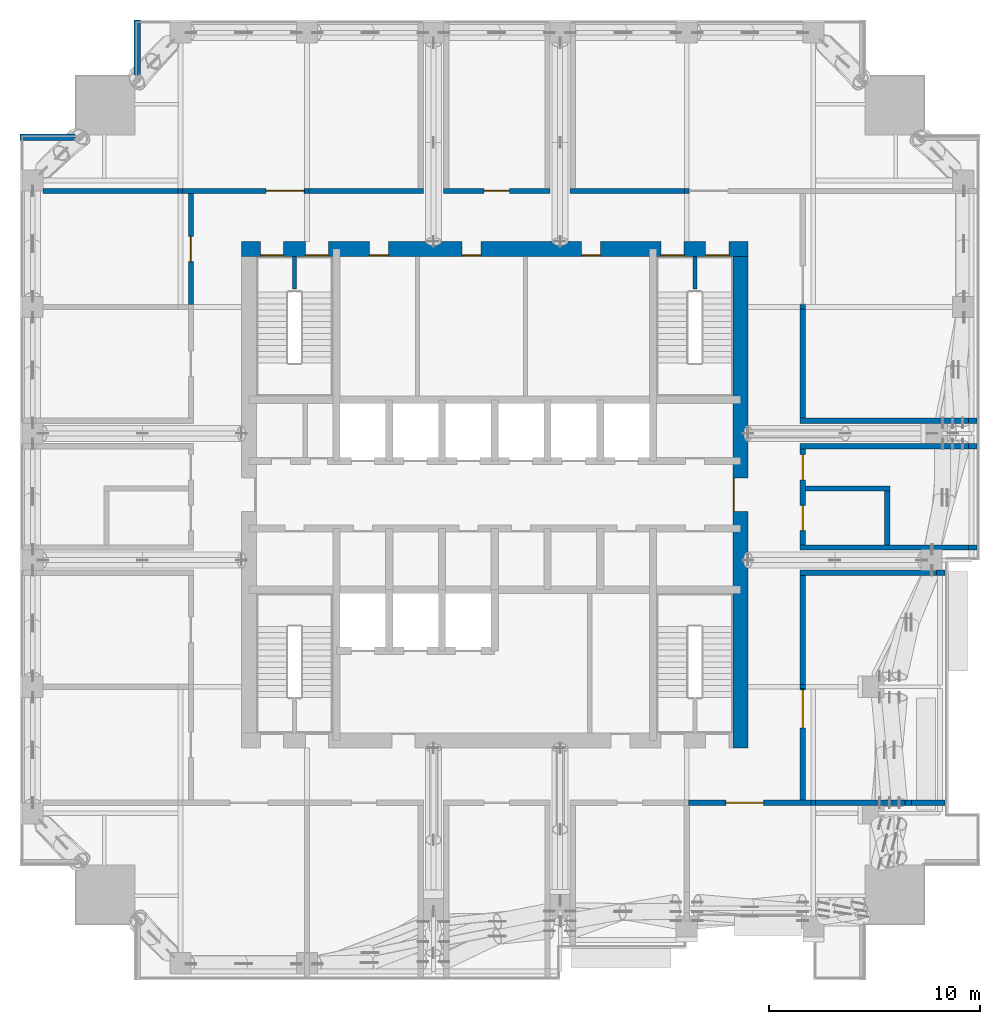
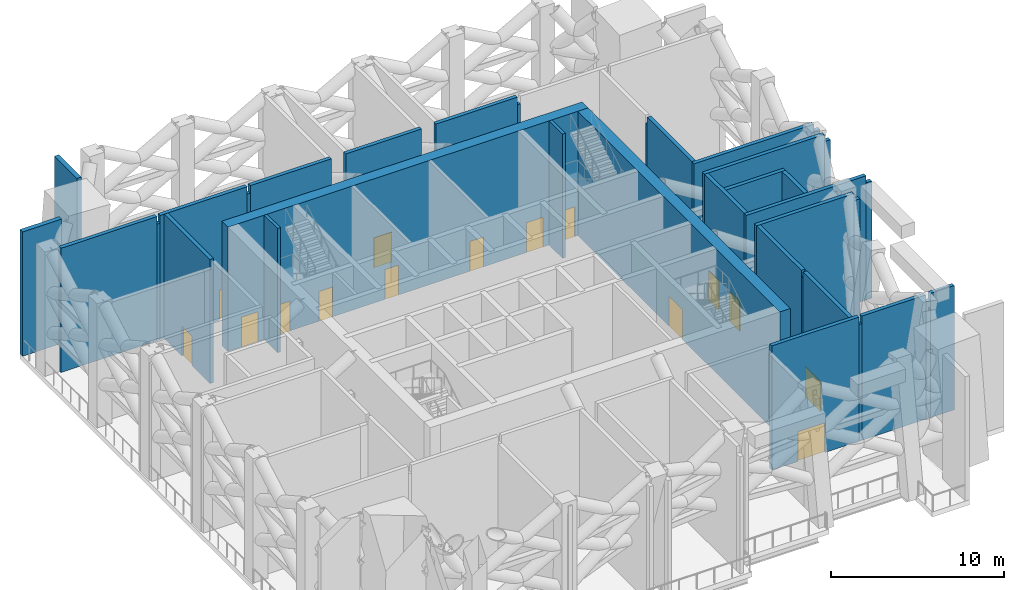
# One storey, part 9 of 18: 36 walls, 15 doors, 15 openings.
"""IFC4 building model written with IfcOpenShell, lengths in metres."""

from ifc_helpers import new_model, si_unit, direction, frame, frame_2d, origin, place, context, subcontext, project, spatial, rectangle, extrude, material, layer, layer_set, type_object, element, fill, save


model = new_model("IFC4")

# Units and contexts
model_context = context("Model", 3, precision=1e-05, world=origin(), true_north=direction((0.0, 1.0)))
body_context = subcontext(model_context, "Body", "Model", "MODEL_VIEW")
ifc_project = project(units=[si_unit("LENGTHUNIT", "METRE"), si_unit("AREAUNIT", "SQUARE_METRE"), si_unit("VOLUMEUNIT", "CUBIC_METRE"), si_unit("PLANEANGLEUNIT", "RADIAN"), si_unit("MASSUNIT", "GRAM", prefix="KILO")], contexts=[model_context])

# Site, building, storey
site_placement = place(None, origin())
site = spatial("IfcSite", under=ifc_project, at=site_placement, CompositionType="ELEMENT")
building_placement = place(site_placement, origin())
building = spatial("IfcBuilding", under=site, at=building_placement, Name="Amberfall Residences", CompositionType="ELEMENT")
storey_placement = place(building_placement, frame((0.0, 0.0, 178.0)))
storey = spatial("IfcBuildingStorey", under=building, at=storey_placement, Name="L48", CompositionType="ELEMENT", Elevation=178.0)

# Wall, opening, door
ifc_material_1 = material(Name="Reinforced concrete C40", Category="concrete")
ifc_layer_1 = layer(ifc_material_1, 0.25)
ifc_layer_set_1 = layer_set([ifc_layer_1], Name="Compartment wall 250")
wall_type_1 = type_object("IfcWallType", Name="Compartment wall 250", PredefinedType="SOLIDWALL", material=ifc_layer_set_1)
wall_1_placement = place(storey_placement, frame((83.69580078125, 30.89990234375, 0.0), z_axis=(0.0, 0.0, 1.0), x_axis=(1.0, 0.0, 0.0)))
wall_1 = element("IfcWall", 1, at=wall_1_placement, inside=storey, type_object=wall_type_1, Name="Compartment wall 250 L48 009", PredefinedType="SOLIDWALL", context=body_context, shape_type="SweptSolid", body=[
    extrude(rectangle(XDim=5.799560546875, YDim=0.25, at=frame_2d((2.89990234375, 0.0))), origin(), (0.0, 0.0, 1.0), 8.75),
])
opening_1_placement = place(wall_1_placement, frame((1.75439453125, 0.0, 0.0)))
opening_1 = element("IfcOpeningElement", 2, at=opening_1_placement, cuts=wall_1, Name="Opening D13", PredefinedType="OPENING", context=body_context, shape_type="SweptSolid", body=[
    extrude(rectangle(XDim=1.800048828125, YDim=2.10009765625, at=frame_2d((0.89990234375, 1.050048828125))), frame((0.0, 0.135009765625, 0.0), z_axis=(0.0, -1.0, 0.0), x_axis=(1.0, 0.0, 0.0)), (0.0, 0.0, 1.0), 0.27001953125),
])
ifc_material_2 = material(Name="Steel fire door leaf", Category="steel")
door_type_1 = type_object("IfcDoorType", Name="Double fire door 1800x2100 FD60", OperationType="DOUBLE_DOOR_SINGLE_SWING", PredefinedType="DOOR", material=ifc_material_2)
door_1_placement = place(opening_1_placement, origin())
door_1 = element("IfcDoor", 3, at=door_1_placement, inside=storey, type_object=door_type_1, Name="Door Refuge area 5", OperationType="DOUBLE_DOOR_SINGLE_SWING", OverallHeight=2.10009765625, OverallWidth=1.800048828125, PredefinedType="DOOR", context=body_context, shape_type="SweptSolid", body=[
    extrude(rectangle(XDim=1.800048828125, YDim=2.10009765625, at=frame_2d((0.89990234375, 1.050048828125))), frame((0.0, 0.02490234375, 0.0), z_axis=(0.0, -1.0, 0.0), x_axis=(1.0, 0.0, 0.0)), (0.0, 0.0, 1.0), 0.050048828125),
])
fill(opening_1, door_1)

# Walls
wall_2_placement = place(storey_placement, frame((89.495361328125, 30.89990234375, 0.0), z_axis=(0.0, 0.0, 1.0), x_axis=(1.0, 0.0, 0.0)))
element("IfcWall", 4, at=wall_2_placement, inside=storey, type_object=wall_type_1, Name="Compartment wall 250 L48 010", PredefinedType="SOLIDWALL", context=body_context, shape_type="SweptSolid", body=[
    extrude(rectangle(XDim=0.209228515625, YDim=0.25, at=frame_2d((0.1044921875, 0.0))), origin(), (0.0, 0.0, 1.0), 8.217041015625),
])
wall_3_placement = place(storey_placement, frame((89.70458984375, 30.89990234375, 0.0), z_axis=(0.0, 0.0, 1.0), x_axis=(1.0, 0.0, 0.0)))
element("IfcWall", 5, at=wall_3_placement, inside=storey, type_object=wall_type_1, Name="Compartment wall 250 L48 011", PredefinedType="SOLIDWALL", context=body_context, shape_type="SweptSolid", body=[
    extrude(rectangle(XDim=4.245361328125, YDim=0.25, at=frame_2d((2.12255859375, 0.0))), origin(), (0.0, 0.0, 1.0), 8.75),
])
wall_4_placement = place(storey_placement, frame((93.949951171875, 30.89990234375, 0.0), z_axis=(0.0, 0.0, 1.0), x_axis=(1.0, 0.0, 0.0)))
element("IfcWall", 6, at=wall_4_placement, inside=storey, type_object=wall_type_1, Name="Compartment wall 250 L48 012", PredefinedType="SOLIDWALL", context=body_context, shape_type="SweptSolid", body=[
    extrude(rectangle(XDim=0.300048828125, YDim=0.25, at=frame_2d((0.14990234375, 0.0))), origin(), (0.0, 0.0, 1.0), 8.25),
])
wall_5_placement = place(storey_placement, frame((94.25, 30.89990234375, 0.0), z_axis=(0.0, 0.0, 1.0), x_axis=(1.0, 0.0, 0.0)))
element("IfcWall", 7, at=wall_5_placement, inside=storey, type_object=wall_type_1, Name="Compartment wall 250 L48 013", PredefinedType="SOLIDWALL", context=body_context, shape_type="SweptSolid", body=[
    extrude(rectangle(XDim=1.60009765625, YDim=0.25, at=frame_2d((0.800048828125, 0.0))), origin(), (0.0, 0.0, 1.0), 8.75),
])
wall_6_placement = place(storey_placement, frame((88.97509765625, 41.800048828125, 0.0), z_axis=(0.0, 0.0, 1.0), x_axis=(1.0, 0.0, 0.0)))
element("IfcWall", 8, at=wall_6_placement, inside=storey, type_object=wall_type_1, Name="Compartment wall 250 L48 018", PredefinedType="SOLIDWALL", context=body_context, shape_type="SweptSolid", body=[
    extrude(rectangle(XDim=6.474853515625, YDim=0.25, at=frame_2d((3.2373046875, 0.0))), origin(), (0.0, 0.0, 1.0), 8.75),
])
wall_7_placement = place(storey_placement, frame((95.449951171875, 41.800048828125, 0.0), z_axis=(0.0, 0.0, 1.0), x_axis=(1.0, 0.0, 0.0)))
element("IfcWall", 9, at=wall_7_placement, inside=storey, type_object=wall_type_1, Name="Compartment wall 250 L48 019", PredefinedType="SOLIDWALL", context=body_context, shape_type="SweptSolid", body=[
    extrude(rectangle(XDim=0.400146484375, YDim=0.25, at=frame_2d((0.2001953125, 0.0))), origin(), (0.0, 0.0, 1.0), 8.25),
])
wall_8_placement = place(storey_placement, frame((88.97509765625, 43.0, 0.0), z_axis=(0.0, 0.0, 1.0), x_axis=(1.0, 0.0, 0.0)))
element("IfcWall", 10, at=wall_8_placement, inside=storey, type_object=wall_type_1, Name="Compartment wall 250 L48 022", PredefinedType="SOLIDWALL", context=body_context, shape_type="SweptSolid", body=[
    extrude(rectangle(XDim=7.974853515625, YDim=0.25, at=frame_2d((3.9873046875, 0.0))), origin(), (0.0, 0.0, 1.0), 8.75),
])
wall_9_placement = place(storey_placement, frame((96.949951171875, 43.0, 0.0), z_axis=(0.0, 0.0, 1.0), x_axis=(1.0, 0.0, 0.0)))
element("IfcWall", 11, at=wall_9_placement, inside=storey, type_object=wall_type_1, Name="Compartment wall 250 L48 023", PredefinedType="SOLIDWALL", context=body_context, shape_type="SweptSolid", body=[
    extrude(rectangle(XDim=0.400146484375, YDim=0.25, at=frame_2d((0.2001953125, 0.0))), origin(), (0.0, 0.0, 1.0), 8.25),
])
wall_10_placement = place(storey_placement, frame((89.22509765625, 45.800048828125, 0.0), z_axis=(0.0, 0.0, 1.0), x_axis=(1.0, 0.0, 0.0)))
element("IfcWall", 12, at=wall_10_placement, inside=storey, type_object=wall_type_1, Name="Compartment wall 250 L48 025", PredefinedType="SOLIDWALL", context=body_context, shape_type="SweptSolid", body=[
    extrude(rectangle(XDim=4.0, YDim=0.25, at=frame_2d((2.0, 0.0))), origin(), (0.0, 0.0, 1.0), 8.75),
])
wall_11_placement = place(storey_placement, frame((88.97509765625, 47.800048828125, 0.0), z_axis=(0.0, 0.0, 1.0), x_axis=(1.0, 0.0, 0.0)))
element("IfcWall", 13, at=wall_11_placement, inside=storey, type_object=wall_type_1, Name="Compartment wall 250 L48 028", PredefinedType="SOLIDWALL", context=body_context, shape_type="SweptSolid", body=[
    extrude(rectangle(XDim=7.974853515625, YDim=0.25, at=frame_2d((3.9873046875, 0.0))), origin(), (0.0, 0.0, 1.0), 8.75),
])
wall_12_placement = place(storey_placement, frame((96.949951171875, 47.800048828125, 0.0), z_axis=(0.0, 0.0, 1.0), x_axis=(1.0, 0.0, 0.0)))
element("IfcWall", 14, at=wall_12_placement, inside=storey, type_object=wall_type_1, Name="Compartment wall 250 L48 029", PredefinedType="SOLIDWALL", context=body_context, shape_type="SweptSolid", body=[
    extrude(rectangle(XDim=0.400146484375, YDim=0.25, at=frame_2d((0.2001953125, 0.0))), origin(), (0.0, 0.0, 1.0), 8.25),
])
wall_13_placement = place(storey_placement, frame((88.97509765625, 49.0, 0.0), z_axis=(0.0, 0.0, 1.0), x_axis=(1.0, 0.0, 0.0)))
element("IfcWall", 15, at=wall_13_placement, inside=storey, type_object=wall_type_1, Name="Compartment wall 250 L48 032", PredefinedType="SOLIDWALL", context=body_context, shape_type="SweptSolid", body=[
    extrude(rectangle(XDim=7.974853515625, YDim=0.25, at=frame_2d((3.9873046875, 0.0))), origin(), (0.0, 0.0, 1.0), 8.75),
])
wall_14_placement = place(storey_placement, frame((96.949951171875, 49.0, 0.0), z_axis=(0.0, 0.0, 1.0), x_axis=(1.0, 0.0, 0.0)))
element("IfcWall", 16, at=wall_14_placement, inside=storey, type_object=wall_type_1, Name="Compartment wall 250 L48 033", PredefinedType="SOLIDWALL", context=body_context, shape_type="SweptSolid", body=[
    extrude(rectangle(XDim=0.400146484375, YDim=0.25, at=frame_2d((0.2001953125, 0.0))), origin(), (0.0, 0.0, 1.0), 8.25),
])
wall_15_placement = place(storey_placement, frame((53.10009765625, 59.89990234375, 0.0), z_axis=(0.0, 0.0, 1.0), x_axis=(1.0, 0.0, 0.0)))
element("IfcWall", 17, at=wall_15_placement, inside=storey, type_object=wall_type_1, Name="Compartment wall 250 L48 036", PredefinedType="SOLIDWALL", context=body_context, shape_type="SweptSolid", body=[
    extrude(rectangle(XDim=6.39453125, YDim=0.25, at=frame_2d((3.197265625, 0.0))), origin(), (0.0, 0.0, 1.0), 8.75),
])
wall_16_placement = place(storey_placement, frame((59.49462890625, 59.89990234375, 0.0), z_axis=(0.0, 0.0, 1.0), x_axis=(1.0, 0.0, 0.0)))
element("IfcWall", 18, at=wall_16_placement, inside=storey, type_object=wall_type_1, Name="Compartment wall 250 L48 037", PredefinedType="SOLIDWALL", context=body_context, shape_type="SweptSolid", body=[
    extrude(rectangle(XDim=0.210693359375, YDim=0.25, at=frame_2d((0.10546875, 0.0))), origin(), (0.0, 0.0, 1.0), 8.2109375),
])

# Wall, opening, door
wall_17_placement = place(storey_placement, frame((59.705322265625, 59.89990234375, 0.0), z_axis=(0.0, 0.0, 1.0), x_axis=(1.0, 0.0, 0.0)))
wall_17 = element("IfcWall", 19, at=wall_17_placement, inside=storey, type_object=wall_type_1, Name="Compartment wall 250 L48 038", PredefinedType="SOLIDWALL", context=body_context, shape_type="SweptSolid", body=[
    extrude(rectangle(XDim=5.7900390625, YDim=0.25, at=frame_2d((2.89501953125, 0.0))), origin(), (0.0, 0.0, 1.0), 8.75),
])
opening_2_placement = place(wall_17_placement, frame((3.944580078125, 0.0, 0.0)))
opening_2 = element("IfcOpeningElement", 20, at=opening_2_placement, cuts=wall_17, Name="Opening D13", PredefinedType="OPENING", context=body_context, shape_type="SweptSolid", body=[
    extrude(rectangle(XDim=1.800048828125, YDim=2.10009765625, at=frame_2d((0.89990234375, 1.050048828125))), frame((0.0, 0.135009765625, 0.0), z_axis=(0.0, -1.0, 0.0), x_axis=(1.0, 0.0, 0.0)), (0.0, 0.0, 1.0), 0.27001953125),
])
door_2_placement = place(opening_2_placement, origin())
door_2 = element("IfcDoor", 21, at=door_2_placement, inside=storey, type_object=door_type_1, Name="Door Refuge area 6", OperationType="DOUBLE_DOOR_SINGLE_SWING", OverallHeight=2.10009765625, OverallWidth=1.800048828125, PredefinedType="DOOR", context=body_context, shape_type="SweptSolid", body=[
    extrude(rectangle(XDim=1.800048828125, YDim=2.10009765625, at=frame_2d((0.89990234375, 1.050048828125))), frame((0.0, 0.02490234375, 0.0), z_axis=(0.0, -1.0, 0.0), x_axis=(1.0, 0.0, 0.0)), (0.0, 0.0, 1.0), 0.050048828125),
])
fill(opening_2, door_2)

# Walls
wall_18_placement = place(storey_placement, frame((65.495361328125, 59.89990234375, 0.0), z_axis=(0.0, 0.0, 1.0), x_axis=(1.0, 0.0, 0.0)))
element("IfcWall", 22, at=wall_18_placement, inside=storey, type_object=wall_type_1, Name="Compartment wall 250 L48 039", PredefinedType="SOLIDWALL", context=body_context, shape_type="SweptSolid", body=[
    extrude(rectangle(XDim=0.209228515625, YDim=0.25, at=frame_2d((0.1044921875, 0.0))), origin(), (0.0, 0.0, 1.0), 8.217041015625),
])
wall_19_placement = place(storey_placement, frame((65.70458984375, 59.89990234375, 0.0), z_axis=(0.0, 0.0, 1.0), x_axis=(1.0, 0.0, 0.0)))
element("IfcWall", 23, at=wall_19_placement, inside=storey, type_object=wall_type_1, Name="Compartment wall 250 L48 040", PredefinedType="SOLIDWALL", context=body_context, shape_type="SweptSolid", body=[
    extrude(rectangle(XDim=5.42041015625, YDim=0.25, at=frame_2d((2.710205078125, 0.0))), origin(), (0.0, 0.0, 1.0), 8.75),
])

# Wall, opening, door
wall_20_placement = place(storey_placement, frame((72.074951171875, 59.89990234375, 0.0), z_axis=(0.0, 0.0, 1.0), x_axis=(1.0, 0.0, 0.0)))
wall_20 = element("IfcWall", 24, at=wall_20_placement, inside=storey, type_object=wall_type_1, Name="Compartment wall 250 L48 041", PredefinedType="SOLIDWALL", context=body_context, shape_type="SweptSolid", body=[
    extrude(rectangle(XDim=5.050048828125, YDim=0.25, at=frame_2d((2.52490234375, 0.0))), origin(), (0.0, 0.0, 1.0), 8.75),
])
opening_3_placement = place(wall_20_placement, frame((1.925048828125, 0.0, 0.0)))
opening_3 = element("IfcOpeningElement", 25, at=opening_3_placement, cuts=wall_20, Name="Opening D6", PredefinedType="OPENING", context=body_context, shape_type="SweptSolid", body=[
    extrude(rectangle(XDim=1.199951171875, YDim=2.10009765625, at=frame_2d((0.60009765625, 1.050048828125))), frame((0.0, 0.135009765625, 0.0), z_axis=(0.0, -1.0, 0.0), x_axis=(1.0, 0.0, 0.0)), (0.0, 0.0, 1.0), 0.27001953125),
])
door_type_2 = type_object("IfcDoorType", Name="Exit door 1200x2100", OperationType="SINGLE_SWING_LEFT", PredefinedType="DOOR", material=ifc_material_2)
door_3_placement = place(opening_3_placement, origin())
door_3 = element("IfcDoor", 26, at=door_3_placement, inside=storey, type_object=door_type_2, Name="Door Refuge area 7", OperationType="SINGLE_SWING_LEFT", OverallHeight=2.10009765625, OverallWidth=1.199951171875, PredefinedType="DOOR", context=body_context, shape_type="SweptSolid", body=[
    extrude(rectangle(XDim=1.199951171875, YDim=2.10009765625, at=frame_2d((0.60009765625, 1.050048828125))), frame((0.0, 0.02490234375, 0.0), z_axis=(0.0, -1.0, 0.0), x_axis=(1.0, 0.0, 0.0)), (0.0, 0.0, 1.0), 0.050048828125),
])
fill(opening_3, door_3)

# Walls
wall_21_placement = place(storey_placement, frame((78.074951171875, 59.89990234375, 0.0), z_axis=(0.0, 0.0, 1.0), x_axis=(1.0, 0.0, 0.0)))
element("IfcWall", 27, at=wall_21_placement, inside=storey, type_object=wall_type_1, Name="Compartment wall 250 L48 042", PredefinedType="SOLIDWALL", context=body_context, shape_type="SweptSolid", body=[
    extrude(rectangle(XDim=5.42041015625, YDim=0.25, at=frame_2d((2.710205078125, 0.0))), origin(), (0.0, 0.0, 1.0), 8.75),
])
wall_22_placement = place(storey_placement, frame((83.495361328125, 59.89990234375, 0.0), z_axis=(0.0, 0.0, 1.0), x_axis=(1.0, 0.0, 0.0)))
element("IfcWall", 28, at=wall_22_placement, inside=storey, type_object=wall_type_1, Name="Compartment wall 250 L48 043", PredefinedType="SOLIDWALL", context=body_context, shape_type="SweptSolid", body=[
    extrude(rectangle(XDim=0.209228515625, YDim=0.25, at=frame_2d((0.1044921875, 0.0))), origin(), (0.0, 0.0, 1.0), 8.217041015625),
])

# Wall, opening, door
wall_23_placement = place(storey_placement, frame((60.10009765625, 54.504638671875, 0.0), z_axis=(0.0, 0.0, 1.0), x_axis=(0.0, 1.0, 0.0)))
wall_23 = element("IfcWall", 29, at=wall_23_placement, inside=storey, type_object=wall_type_1, Name="Compartment wall 250 L48 055", PredefinedType="SOLIDWALL", context=body_context, shape_type="SweptSolid", body=[
    extrude(rectangle(XDim=5.270263671875, YDim=0.25, at=frame_2d((2.63525390625, 0.0))), origin(), (0.0, 0.0, 1.0), 8.75),
])
opening_4_placement = place(wall_23_placement, frame((2.04541015625, 0.0, 0.0)))
opening_4 = element("IfcOpeningElement", 30, at=opening_4_placement, cuts=wall_23, Name="Opening D6", PredefinedType="OPENING", context=body_context, shape_type="SweptSolid", body=[
    extrude(rectangle(XDim=1.199951171875, YDim=2.10009765625, at=frame_2d((0.60009765625, 1.050048828125))), frame((0.0, 0.135009765625, 0.0), z_axis=(0.0, -1.0, 0.0), x_axis=(1.0, 0.0, 0.0)), (0.0, 0.0, 1.0), 0.27001953125),
])
door_4_placement = place(opening_4_placement, origin())
door_4 = element("IfcDoor", 31, at=door_4_placement, inside=storey, type_object=door_type_2, Name="Door Refuge area 13", OperationType="SINGLE_SWING_LEFT", OverallHeight=2.10009765625, OverallWidth=1.199951171875, PredefinedType="DOOR", context=body_context, shape_type="SweptSolid", body=[
    extrude(rectangle(XDim=1.199951171875, YDim=2.10009765625, at=frame_2d((0.60009765625, 1.050048828125))), frame((0.0, 0.02490234375, 0.0), z_axis=(0.0, -1.0, 0.0), x_axis=(1.0, 0.0, 0.0)), (0.0, 0.0, 1.0), 0.050048828125),
])
fill(opening_4, door_4)

wall_24_placement = place(storey_placement, frame((89.10009765625, 31.02490234375, 0.0), z_axis=(0.0, 0.0, 1.0), x_axis=(0.0, 1.0, 0.0)))
wall_24 = element("IfcWall", 32, at=wall_24_placement, inside=storey, type_object=wall_type_1, Name="Compartment wall 250 L48 077", PredefinedType="SOLIDWALL", context=body_context, shape_type="SweptSolid", body=[
    extrude(rectangle(XDim=5.279296875, YDim=0.25, at=frame_2d((2.6396484375, 0.0))), origin(), (0.0, 0.0, 1.0), 8.75),
])
opening_5_placement = place(wall_24_placement, frame((3.425048828125, 0.0, 0.0)))
opening_5 = element("IfcOpeningElement", 33, at=opening_5_placement, cuts=wall_24, Name="Opening D13", PredefinedType="OPENING", context=body_context, shape_type="SweptSolid", body=[
    extrude(rectangle(XDim=1.800048828125, YDim=2.10009765625, at=frame_2d((0.89990234375, 1.050048828125))), frame((0.0, 0.135009765625, 0.0), z_axis=(0.0, -1.0, 0.0), x_axis=(1.0, 0.0, 0.0)), (0.0, 0.0, 1.0), 0.27001953125),
])
door_5_placement = place(opening_5_placement, origin())
door_5 = element("IfcDoor", 34, at=door_5_placement, inside=storey, type_object=door_type_1, Name="Door Refuge area 14", OperationType="DOUBLE_DOOR_SINGLE_SWING", OverallHeight=2.10009765625, OverallWidth=1.800048828125, PredefinedType="DOOR", context=body_context, shape_type="SweptSolid", body=[
    extrude(rectangle(XDim=1.800048828125, YDim=2.10009765625, at=frame_2d((0.89990234375, 1.050048828125))), frame((0.0, 0.02490234375, 0.0), z_axis=(0.0, -1.0, 0.0), x_axis=(1.0, 0.0, 0.0)), (0.0, 0.0, 1.0), 0.050048828125),
])
fill(opening_5, door_5)

# Walls
wall_25_placement = place(storey_placement, frame((89.10009765625, 36.30419921875, 0.0), z_axis=(0.0, 0.0, 1.0), x_axis=(0.0, 1.0, 0.0)))
element("IfcWall", 35, at=wall_25_placement, inside=storey, type_object=wall_type_1, Name="Compartment wall 250 L48 078", PredefinedType="SOLIDWALL", context=body_context, shape_type="SweptSolid", body=[
    extrude(rectangle(XDim=0.19140625, YDim=0.25, at=frame_2d((0.095703125, 0.0))), origin(), (0.0, 0.0, 1.0), 8.2900390625),
])
wall_26_placement = place(storey_placement, frame((89.10009765625, 36.49560546875, 0.0), z_axis=(0.0, 0.0, 1.0), x_axis=(0.0, 1.0, 0.0)))
element("IfcWall", 36, at=wall_26_placement, inside=storey, type_object=wall_type_1, Name="Compartment wall 250 L48 079", PredefinedType="SOLIDWALL", context=body_context, shape_type="SweptSolid", body=[
    extrude(rectangle(XDim=5.179443359375, YDim=0.25, at=frame_2d((2.58984375, 0.0))), origin(), (0.0, 0.0, 1.0), 8.75),
])

# Wall, openings, doors
wall_27_placement = place(storey_placement, frame((89.10009765625, 43.125, 0.0), z_axis=(0.0, 0.0, 1.0), x_axis=(0.0, 1.0, 0.0)))
wall_27 = element("IfcWall", 37, at=wall_27_placement, inside=storey, type_object=wall_type_1, Name="Compartment wall 250 L48 080", PredefinedType="SOLIDWALL", context=body_context, shape_type="SweptSolid", body=[
    extrude(rectangle(XDim=4.550048828125, YDim=0.25, at=frame_2d((2.27490234375, 0.0))), origin(), (0.0, 0.0, 1.0), 8.75),
])
opening_6_placement = place(wall_27_placement, frame((0.675048828125, 0.0, 0.0)))
opening_6 = element("IfcOpeningElement", 38, at=opening_6_placement, cuts=wall_27, Name="Opening D7", PredefinedType="OPENING", context=body_context, shape_type="SweptSolid", body=[
    extrude(rectangle(XDim=1.199951171875, YDim=2.10009765625, at=frame_2d((0.60009765625, 1.050048828125))), frame((0.0, 0.135009765625, 0.0), z_axis=(0.0, -1.0, 0.0), x_axis=(1.0, 0.0, 0.0)), (0.0, 0.0, 1.0), 0.27001953125),
])
opening_7_placement = place(wall_27_placement, frame((3.074951171875, 0.0, 0.0)))
opening_7 = element("IfcOpeningElement", 39, at=opening_7_placement, cuts=wall_27, Name="Opening D6", PredefinedType="OPENING", context=body_context, shape_type="SweptSolid", body=[
    extrude(rectangle(XDim=1.199951171875, YDim=2.10009765625, at=frame_2d((0.60009765625, 1.050048828125))), frame((0.0, 0.135009765625, 0.0), z_axis=(0.0, -1.0, 0.0), x_axis=(1.0, 0.0, 0.0)), (0.0, 0.0, 1.0), 0.27001953125),
])
door_6_placement = place(opening_7_placement, origin())
door_6 = element("IfcDoor", 40, at=door_6_placement, inside=storey, type_object=door_type_2, Name="Door Refuge area 15", OperationType="SINGLE_SWING_LEFT", OverallHeight=2.10009765625, OverallWidth=1.199951171875, PredefinedType="DOOR", context=body_context, shape_type="SweptSolid", body=[
    extrude(rectangle(XDim=1.199951171875, YDim=2.10009765625, at=frame_2d((0.60009765625, 1.050048828125))), frame((0.0, 0.02490234375, 0.0), z_axis=(0.0, -1.0, 0.0), x_axis=(1.0, 0.0, 0.0)), (0.0, 0.0, 1.0), 0.050048828125),
])
fill(opening_7, door_6)
door_type_3 = type_object("IfcDoorType", Name="Plant room door 1200x2100", OperationType="SINGLE_SWING_LEFT", PredefinedType="DOOR", material=ifc_material_2)
door_7_placement = place(opening_6_placement, origin())
door_7 = element("IfcDoor", 41, at=door_7_placement, inside=storey, type_object=door_type_3, Name="Door Fire services water tank room E", OperationType="SINGLE_SWING_LEFT", OverallHeight=2.10009765625, OverallWidth=1.199951171875, PredefinedType="DOOR", context=body_context, shape_type="SweptSolid", body=[
    extrude(rectangle(XDim=1.199951171875, YDim=2.10009765625, at=frame_2d((0.60009765625, 1.050048828125))), frame((0.0, 0.02490234375, 0.0), z_axis=(0.0, -1.0, 0.0), x_axis=(1.0, 0.0, 0.0)), (0.0, 0.0, 1.0), 0.050048828125),
])
fill(opening_6, door_7)

# Walls
wall_28_placement = place(storey_placement, frame((89.10009765625, 49.125, 0.0), z_axis=(0.0, 0.0, 1.0), x_axis=(0.0, 1.0, 0.0)))
element("IfcWall", 42, at=wall_28_placement, inside=storey, type_object=wall_type_1, Name="Compartment wall 250 L48 081", PredefinedType="SOLIDWALL", context=body_context, shape_type="SweptSolid", body=[
    extrude(rectangle(XDim=5.17041015625, YDim=0.25, at=frame_2d((2.585205078125, 0.0))), origin(), (0.0, 0.0, 1.0), 8.75),
])
wall_29_placement = place(storey_placement, frame((89.10009765625, 54.29541015625, 0.0), z_axis=(0.0, 0.0, 1.0), x_axis=(0.0, 1.0, 0.0)))
element("IfcWall", 43, at=wall_29_placement, inside=storey, type_object=wall_type_1, Name="Compartment wall 250 L48 082", PredefinedType="SOLIDWALL", context=body_context, shape_type="SweptSolid", body=[
    extrude(rectangle(XDim=0.209228515625, YDim=0.25, at=frame_2d((0.1044921875, 0.0))), origin(), (0.0, 0.0, 1.0), 8.217041015625),
])
wall_30_placement = place(storey_placement, frame((93.10009765625, 43.125, 0.0), z_axis=(0.0, 0.0, 1.0), x_axis=(0.0, 1.0, 0.0)))
element("IfcWall", 44, at=wall_30_placement, inside=storey, type_object=wall_type_1, Name="Compartment wall 250 L48 084", PredefinedType="SOLIDWALL", context=body_context, shape_type="SweptSolid", body=[
    extrude(rectangle(XDim=2.550048828125, YDim=0.25, at=frame_2d((1.27490234375, 0.0))), origin(), (0.0, 0.0, 1.0), 8.75),
])

# Wall, openings, doors
ifc_material_3 = material(Name="Concrete C60", Category="concrete")
ifc_layer_2 = layer(ifc_material_3, 0.699951171875)
ifc_layer_set_2 = layer_set([ifc_layer_2], Name="Core wall 700 C60")
wall_type_2 = type_object("IfcWallType", Name="Core wall 700 C60", PredefinedType="SHEAR", material=ifc_layer_set_2)
wall_31_placement = place(storey_placement, frame((62.5, 57.14990234375, 0.0), z_axis=(0.0, 0.0, 1.0), x_axis=(1.0, 0.0, 0.0)))
wall_31 = element("IfcWall", 45, at=wall_31_placement, inside=storey, type_object=wall_type_2, Name="Core wall RW5 L48 ON", PredefinedType="SHEAR", context=body_context, shape_type="SweptSolid", body=[
    extrude(rectangle(XDim=24.0, YDim=0.699951171875, at=frame_2d((12.0, 0.0))), origin(), (0.0, 0.0, 1.0), 8.75),
])
opening_8_placement = place(wall_31_placement, frame((19.875, 0.0, 0.0)))
opening_8 = element("IfcOpeningElement", 46, at=opening_8_placement, cuts=wall_31, Name="Opening SD1", PredefinedType="OPENING", context=body_context, shape_type="SweptSolid", body=[
    extrude(rectangle(XDim=1.10009765625, YDim=2.10009765625, at=frame_2d((0.550048828125, 1.050048828125))), frame((0.0, 0.35986328125, 0.0), z_axis=(0.0, -1.0, 0.0), x_axis=(1.0, 0.0, 0.0)), (0.0, 0.0, 1.0), 0.719970703125),
])
opening_9_placement = place(wall_31_placement, frame((22.0, 0.0, 0.0)))
opening_9 = element("IfcOpeningElement", 47, at=opening_9_placement, cuts=wall_31, Name="Opening SD1", PredefinedType="OPENING", context=body_context, shape_type="SweptSolid", body=[
    extrude(rectangle(XDim=1.10009765625, YDim=2.10009765625, at=frame_2d((0.550048828125, 1.050048828125))), frame((0.0, 0.35986328125, 0.0), z_axis=(0.0, -1.0, 0.0), x_axis=(1.0, 0.0, 0.0)), (0.0, 0.0, 1.0), 0.719970703125),
])
opening_10_placement = place(wall_31_placement, frame((0.89990234375, 0.0, 0.0)))
opening_10 = element("IfcOpeningElement", 48, at=opening_10_placement, cuts=wall_31, Name="Opening SD1", PredefinedType="OPENING", context=body_context, shape_type="SweptSolid", body=[
    extrude(rectangle(XDim=1.10009765625, YDim=2.10009765625, at=frame_2d((0.550048828125, 1.050048828125))), frame((0.0, 0.35986328125, 0.0), z_axis=(0.0, -1.0, 0.0), x_axis=(1.0, 0.0, 0.0)), (0.0, 0.0, 1.0), 0.719970703125),
])
opening_11_placement = place(wall_31_placement, frame((3.02490234375, 0.0, 0.0)))
opening_11 = element("IfcOpeningElement", 49, at=opening_11_placement, cuts=wall_31, Name="Opening SD1", PredefinedType="OPENING", context=body_context, shape_type="SweptSolid", body=[
    extrude(rectangle(XDim=1.10009765625, YDim=2.10009765625, at=frame_2d((0.550048828125, 1.050048828125))), frame((0.0, 0.35986328125, 0.0), z_axis=(0.0, -1.0, 0.0), x_axis=(1.0, 0.0, 0.0)), (0.0, 0.0, 1.0), 0.719970703125),
])
opening_12_placement = place(wall_31_placement, frame((6.05615234375, 0.0, 0.0)))
opening_12 = element("IfcOpeningElement", 50, at=opening_12_placement, cuts=wall_31, Name="Opening RD1", PredefinedType="OPENING", context=body_context, shape_type="SweptSolid", body=[
    extrude(rectangle(XDim=0.89990234375, YDim=2.10009765625, at=frame_2d((0.449951171875, 1.050048828125))), frame((0.0, 0.35986328125, 0.0), z_axis=(0.0, -1.0, 0.0), x_axis=(1.0, 0.0, 0.0)), (0.0, 0.0, 1.0), 0.719970703125),
])
opening_13_placement = place(wall_31_placement, frame((10.451416015625, 0.0, 0.0)))
opening_13 = element("IfcOpeningElement", 51, at=opening_13_placement, cuts=wall_31, Name="Opening RD1", PredefinedType="OPENING", context=body_context, shape_type="SweptSolid", body=[
    extrude(rectangle(XDim=0.89990234375, YDim=2.10009765625, at=frame_2d((0.449951171875, 1.050048828125))), frame((0.0, 0.35986328125, 0.0), z_axis=(0.0, -1.0, 0.0), x_axis=(1.0, 0.0, 0.0)), (0.0, 0.0, 1.0), 0.719970703125),
])
opening_14_placement = place(wall_31_placement, frame((16.114990234375, 0.0, 0.0)))
opening_14 = element("IfcOpeningElement", 52, at=opening_14_placement, cuts=wall_31, Name="Opening RD1", PredefinedType="OPENING", context=body_context, shape_type="SweptSolid", body=[
    extrude(rectangle(XDim=0.89990234375, YDim=2.10009765625, at=frame_2d((0.449951171875, 1.050048828125))), frame((0.0, 0.35986328125, 0.0), z_axis=(0.0, -1.0, 0.0), x_axis=(1.0, 0.0, 0.0)), (0.0, 0.0, 1.0), 0.719970703125),
])
ifc_material_4 = material(Name="Steel fire door set", Category="steel")
door_type_4 = type_object("IfcDoorType", Name="Service room door 900 x 2100", OperationType="SINGLE_SWING_LEFT", PredefinedType="DOOR", material=ifc_material_4)
door_8_placement = place(opening_12_placement, origin())
door_8 = element("IfcDoor", 53, at=door_8_placement, inside=storey, type_object=door_type_4, Name="RD1 L48", OperationType="SINGLE_SWING_RIGHT", OverallHeight=2.10009765625, OverallWidth=0.89990234375, PredefinedType="DOOR", context=body_context, shape_type="SweptSolid", body=[
    extrude(rectangle(XDim=0.89990234375, YDim=2.10009765625, at=frame_2d((0.449951171875, 1.050048828125))), frame((0.0, -0.28759765625, 0.0), z_axis=(0.0, -1.0, 0.0), x_axis=(1.0, 0.0, 0.0)), (0.0, 0.0, 1.0), 0.050048828125),
])
fill(opening_12, door_8)
door_9_placement = place(opening_13_placement, origin())
door_9 = element("IfcDoor", 54, at=door_9_placement, inside=storey, type_object=door_type_4, Name="RD1 L48", OperationType="SINGLE_SWING_RIGHT", OverallHeight=2.10009765625, OverallWidth=0.89990234375, PredefinedType="DOOR", context=body_context, shape_type="SweptSolid", body=[
    extrude(rectangle(XDim=0.89990234375, YDim=2.10009765625, at=frame_2d((0.449951171875, 1.050048828125))), frame((0.0, -0.28759765625, 0.0), z_axis=(0.0, -1.0, 0.0), x_axis=(1.0, 0.0, 0.0)), (0.0, 0.0, 1.0), 0.050048828125),
])
fill(opening_13, door_9)
door_10_placement = place(opening_14_placement, origin())
door_10 = element("IfcDoor", 55, at=door_10_placement, inside=storey, type_object=door_type_4, Name="RD1 L48", OperationType="SINGLE_SWING_RIGHT", OverallHeight=2.10009765625, OverallWidth=0.89990234375, PredefinedType="DOOR", context=body_context, shape_type="SweptSolid", body=[
    extrude(rectangle(XDim=0.89990234375, YDim=2.10009765625, at=frame_2d((0.449951171875, 1.050048828125))), frame((0.0, -0.28759765625, 0.0), z_axis=(0.0, -1.0, 0.0), x_axis=(1.0, 0.0, 0.0)), (0.0, 0.0, 1.0), 0.050048828125),
])
fill(opening_14, door_10)
door_type_5 = type_object("IfcDoorType", Name="Stair door 1100 x 2100", OperationType="SINGLE_SWING_LEFT", PredefinedType="DOOR", material=ifc_material_4)
door_11_placement = place(opening_8_placement, origin())
door_11 = element("IfcDoor", 56, at=door_11_placement, inside=storey, type_object=door_type_5, Name="SD1 L48", OperationType="SINGLE_SWING_RIGHT", OverallHeight=2.10009765625, OverallWidth=1.10009765625, PredefinedType="DOOR", context=body_context, shape_type="SweptSolid", body=[
    extrude(rectangle(XDim=1.10009765625, YDim=2.10009765625, at=frame_2d((0.550048828125, 1.050048828125))), frame((0.0, -0.28759765625, 0.0), z_axis=(0.0, -1.0, 0.0), x_axis=(1.0, 0.0, 0.0)), (0.0, 0.0, 1.0), 0.050048828125),
])
fill(opening_8, door_11)
door_12_placement = place(opening_9_placement, origin())
door_12 = element("IfcDoor", 57, at=door_12_placement, inside=storey, type_object=door_type_5, Name="SD1 L48", OperationType="SINGLE_SWING_RIGHT", OverallHeight=2.10009765625, OverallWidth=1.10009765625, PredefinedType="DOOR", context=body_context, shape_type="SweptSolid", body=[
    extrude(rectangle(XDim=1.10009765625, YDim=2.10009765625, at=frame_2d((0.550048828125, 1.050048828125))), frame((0.0, -0.28759765625, 0.0), z_axis=(0.0, -1.0, 0.0), x_axis=(1.0, 0.0, 0.0)), (0.0, 0.0, 1.0), 0.050048828125),
])
fill(opening_9, door_12)
door_13_placement = place(opening_10_placement, origin())
door_13 = element("IfcDoor", 58, at=door_13_placement, inside=storey, type_object=door_type_5, Name="SD1 L48", OperationType="SINGLE_SWING_LEFT", OverallHeight=2.10009765625, OverallWidth=1.10009765625, PredefinedType="DOOR", context=body_context, shape_type="SweptSolid", body=[
    extrude(rectangle(XDim=1.10009765625, YDim=2.10009765625, at=frame_2d((0.550048828125, 1.050048828125))), frame((0.0, -0.28759765625, 0.0), z_axis=(0.0, -1.0, 0.0), x_axis=(1.0, 0.0, 0.0)), (0.0, 0.0, 1.0), 0.050048828125),
])
fill(opening_10, door_13)
door_14_placement = place(opening_11_placement, origin())
door_14 = element("IfcDoor", 59, at=door_14_placement, inside=storey, type_object=door_type_5, Name="SD1 L48", OperationType="SINGLE_SWING_LEFT", OverallHeight=2.10009765625, OverallWidth=1.10009765625, PredefinedType="DOOR", context=body_context, shape_type="SweptSolid", body=[
    extrude(rectangle(XDim=1.10009765625, YDim=2.10009765625, at=frame_2d((0.550048828125, 1.050048828125))), frame((0.0, -0.28759765625, 0.0), z_axis=(0.0, -1.0, 0.0), x_axis=(1.0, 0.0, 0.0)), (0.0, 0.0, 1.0), 0.050048828125),
])
fill(opening_11, door_14)

# Wall, opening, door
wall_32_placement = place(storey_placement, frame((86.14990234375, 33.5, 0.0), z_axis=(0.0, 0.0, 1.0), x_axis=(0.0, 1.0, 0.0)))
wall_32 = element("IfcWall", 60, at=wall_32_placement, inside=storey, type_object=wall_type_2, Name="Core wall RW5 L48 OE", PredefinedType="SHEAR", context=body_context, shape_type="SweptSolid", body=[
    extrude(rectangle(XDim=24.0, YDim=0.699951171875, at=frame_2d((12.0, 0.0))), origin(), (0.0, 0.0, 1.0), 8.75),
])
opening_15_placement = place(wall_32_placement, frame((11.199951171875, 0.0, 0.0)))
opening_15 = element("IfcOpeningElement", 61, at=opening_15_placement, cuts=wall_32, Name="Opening LB1", PredefinedType="OPENING", context=body_context, shape_type="SweptSolid", body=[
    extrude(rectangle(XDim=1.60009765625, YDim=2.10009765625, at=frame_2d((0.800048828125, 1.050048828125))), frame((0.0, 0.35986328125, 0.0), z_axis=(0.0, -1.0, 0.0), x_axis=(1.0, 0.0, 0.0)), (0.0, 0.0, 1.0), 0.719970703125),
])
door_type_6 = type_object("IfcDoorType", Name="Lift lobby double door 1600 x 2100", OperationType="DOUBLE_DOOR_SINGLE_SWING", PredefinedType="DOOR", material=ifc_material_4)
door_15_placement = place(opening_15_placement, origin())
door_15 = element("IfcDoor", 62, at=door_15_placement, inside=storey, type_object=door_type_6, Name="LB1 L48", OperationType="DOUBLE_DOOR_SINGLE_SWING", OverallHeight=2.10009765625, OverallWidth=1.60009765625, PredefinedType="DOOR", context=body_context, shape_type="SweptSolid", body=[
    extrude(rectangle(XDim=1.60009765625, YDim=2.10009765625, at=frame_2d((0.800048828125, 1.050048828125))), frame((0.0, 0.33740234375, 0.0), z_axis=(0.0, -1.0, 0.0), x_axis=(1.0, 0.0, 0.0)), (0.0, 0.0, 1.0), 0.050048828125),
])
fill(opening_15, door_15)

# Walls
ifc_material_5 = material(Name="Bronze aluminium louvre cladding on insulated backing", Category="aluminium")
ifc_layer_3 = layer(ifc_material_5, 0.300048828125)
ifc_layer_set_3 = layer_set([ifc_layer_3], Name="Louvre clad wall 300")
wall_type_3 = type_object("IfcWallType", Name="Louvre clad wall 300", PredefinedType="SOLIDWALL", material=ifc_layer_set_3)
for number, where, z_axis, x_axis, name in (
    (63, (57.550048828125, 68.0, 0.0), (0.0, 0.0, 1.0), (0.0, -1.0, 0.0), "External wall L48 NW"),
    (64, (54.60009765625, 62.449951171875, 0.0), (0.0, 0.0, 1.0), (-1.0, 0.0, 0.0), "External wall L48 NW"),
):
    element("IfcWall", number, at=place(storey_placement, frame(where, z_axis=z_axis, x_axis=x_axis)), inside=storey, type_object=wall_type_3, Name=name, PredefinedType="SOLIDWALL", context=body_context, shape_type="SweptSolid", body=[
        extrude(rectangle(XDim=2.60009765625, YDim=0.300048828125, at=frame_2d((1.300048828125, 0.0))), origin(), (0.0, 0.0, 1.0), 8.75),
    ])
ifc_material_6 = material(Name="Concrete C40", Category="concrete")
ifc_layer_4 = layer(ifc_material_6, 0.199951171875)
ifc_layer_set_4 = layer_set([ifc_layer_4], Name="Stair separating wall 200")
wall_type_4 = type_object("IfcWallType", Name="Stair separating wall 200", PredefinedType="SHEAR", material=ifc_layer_set_4)
for number, where, z_axis, x_axis, name in (
    (65, (83.987548828125, 56.800048828125, 0.0), (0.0, 0.0, 1.0), (0.0, -1.0, 0.0), "L48 stair 3 separating wall"),
    (66, (65.012451171875, 56.800048828125, 0.0), (0.0, 0.0, 1.0), (0.0, -1.0, 0.0), "L48 stair 4 separating wall"),
):
    element("IfcWall", number, at=place(storey_placement, frame(where, z_axis=z_axis, x_axis=x_axis)), inside=storey, type_object=wall_type_4, Name=name, PredefinedType="SHEAR", context=body_context, shape_type="SweptSolid", body=[
        extrude(rectangle(XDim=1.550048828125, YDim=0.199951171875, at=frame_2d((0.77490234375, 0.0))), origin(), (0.0, 0.0, 1.0), 8.75),
    ])

save(model, "model.ifc")
